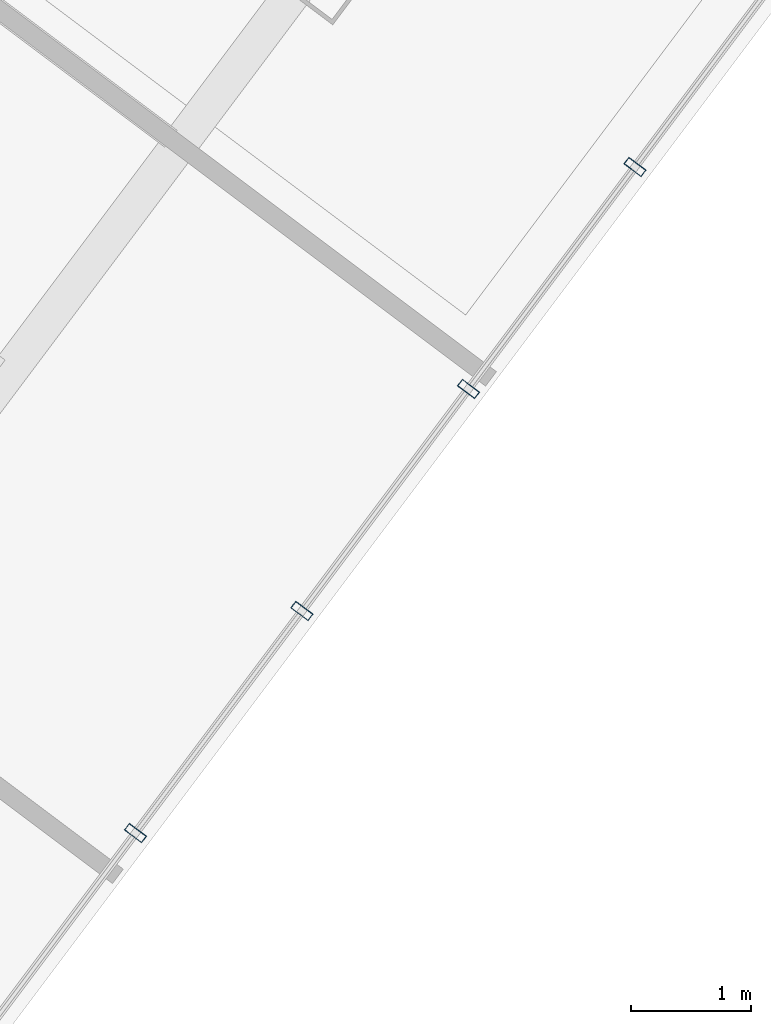
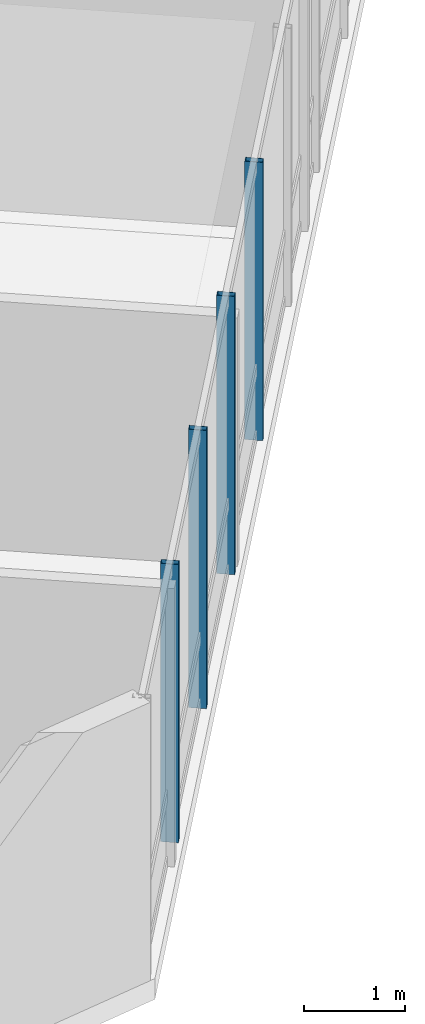
# One storey, part 8 of 31: 4 members, 1 element without a shape of its own.
"""IFC4 building model written with IfcOpenShell, lengths in metres."""

from ifc_helpers import new_model, si_unit, direction, frame, origin, origin_2d, place, context, subcontext, project, spatial, hollow_rectangle, extrude, material, layer, layer_set, material_profile, profile_set, type_object, element, aggregate, save


model = new_model("IFC4")

# Units and contexts
model_context = context("Model", 3, precision=1e-05, world=origin(), true_north=direction((0.0, 1.0)))
body_context = subcontext(model_context, "Body", "Model", "MODEL_VIEW")
ifc_project = project(units=[si_unit("LENGTHUNIT", "METRE"), si_unit("AREAUNIT", "SQUARE_METRE"), si_unit("VOLUMEUNIT", "CUBIC_METRE"), si_unit("PLANEANGLEUNIT", "RADIAN"), si_unit("MASSUNIT", "GRAM", prefix="KILO")], contexts=[model_context])

# Site, building, storey
site_placement = place(None, origin())
site = spatial("IfcSite", under=ifc_project, at=site_placement, CompositionType="ELEMENT")
building_placement = place(site_placement, origin())
building = spatial("IfcBuilding", under=site, at=building_placement, Name="Hatsunagi Terrace Concourse", CompositionType="ELEMENT")
storey_placement = place(building_placement, frame((0.0, 0.0, 112.050048828125)))
storey = spatial("IfcBuildingStorey", under=building, at=storey_placement, Name="L29", CompositionType="ELEMENT", Elevation=112.050048828125)

# Curtain wall, members
ifc_material_1 = material(Name="Anodised Aluminium Alloy 6063-T5", Category="aluminium")
ifc_layer = layer(ifc_material_1, 0.199951171875)
ifc_layer_set = layer_set([ifc_layer], Name="OfficeZone1_CW03")
curtain_wall_type = type_object("IfcCurtainWallType", Name="OfficeZone1_CW03", PredefinedType="NOTDEFINED", material=ifc_layer_set)
curtain_wall_placement = place(storey_placement, origin())
curtain_wall = element("IfcCurtainWall", 1, at=curtain_wall_placement, inside=storey, type_object=curtain_wall_type, Name="Unitised Curtain Wall CW-03 CW-L29-03", PredefinedType="NOTDEFINED")
ifc_material_2 = material(Name="Anodised Aluminium Alloy 6063-T5", Category="aluminium")
ifc_material_profile = material_profile(ifc_material_2, hollow_rectangle(XDim=0.070068359375, YDim=0.179931640625, WallThickness=0.00390625, at=origin_2d()), Name="ALU-MUL-180x70x4")
ifc_profile_set = profile_set([ifc_material_profile], Name="Anodised Aluminium Alloy 6063-T5")
member_type = type_object("IfcMemberType", Name="CurtainWallMullion_180x70", PredefinedType="MULLION", material=ifc_profile_set)
member_1_placement = place(storey_placement, frame((62.132080078125, 10.3759765625, 0.0), z_axis=(0.0, 0.0, 1.0), x_axis=(-0.599969314634, -0.800023013105, 0.0)))
member_1 = element("IfcMember", 2, at=member_1_placement, type_object=member_type, Name="Curtain Wall Mullion MUL-02", PredefinedType="MULLION", context=body_context, shape_type="SweptSolid", body=[
    extrude(hollow_rectangle(XDim=0.070068359375, YDim=0.179931640625, WallThickness=0.00390625, at=origin_2d()), origin(), (0.0, 0.0, 1.0), 3.349853515625),
])
member_2_placement = place(storey_placement, frame((60.739990234375, 8.51904296875, 0.0), z_axis=(0.0, 0.0, 1.0), x_axis=(-0.599969314634, -0.800023013105, 0.0)))
member_2 = element("IfcMember", 3, at=member_2_placement, type_object=member_type, Name="Curtain Wall Mullion MUL-02", PredefinedType="MULLION", context=body_context, shape_type="SweptSolid", body=[
    extrude(hollow_rectangle(XDim=0.070068359375, YDim=0.179931640625, WallThickness=0.00390625, at=origin_2d()), origin(), (0.0, 0.0, 1.0), 3.349853515625),
])
member_3_placement = place(storey_placement, frame((59.346923828125, 6.6630859375, 0.0), z_axis=(0.0, 0.0, 1.0), x_axis=(-0.599969314634, -0.800023013105, 0.0)))
member_3 = element("IfcMember", 4, at=member_3_placement, type_object=member_type, Name="Curtain Wall Mullion MUL-02", PredefinedType="MULLION", context=body_context, shape_type="SweptSolid", body=[
    extrude(hollow_rectangle(XDim=0.070068359375, YDim=0.179931640625, WallThickness=0.00390625, at=origin_2d()), origin(), (0.0, 0.0, 1.0), 3.349853515625),
])
member_4_placement = place(storey_placement, frame((57.955078125, 4.805908203125, 0.0), z_axis=(0.0, 0.0, 1.0), x_axis=(-0.599969314634, -0.800023013105, 0.0)))
member_4 = element("IfcMember", 5, at=member_4_placement, type_object=member_type, Name="Curtain Wall Mullion MUL-02", PredefinedType="MULLION", context=body_context, shape_type="SweptSolid", body=[
    extrude(hollow_rectangle(XDim=0.070068359375, YDim=0.179931640625, WallThickness=0.00390625, at=origin_2d()), origin(), (0.0, 0.0, 1.0), 3.349853515625),
])
aggregate(curtain_wall, [member_1, member_2, member_3, member_4])

save(model, "model.ifc")
